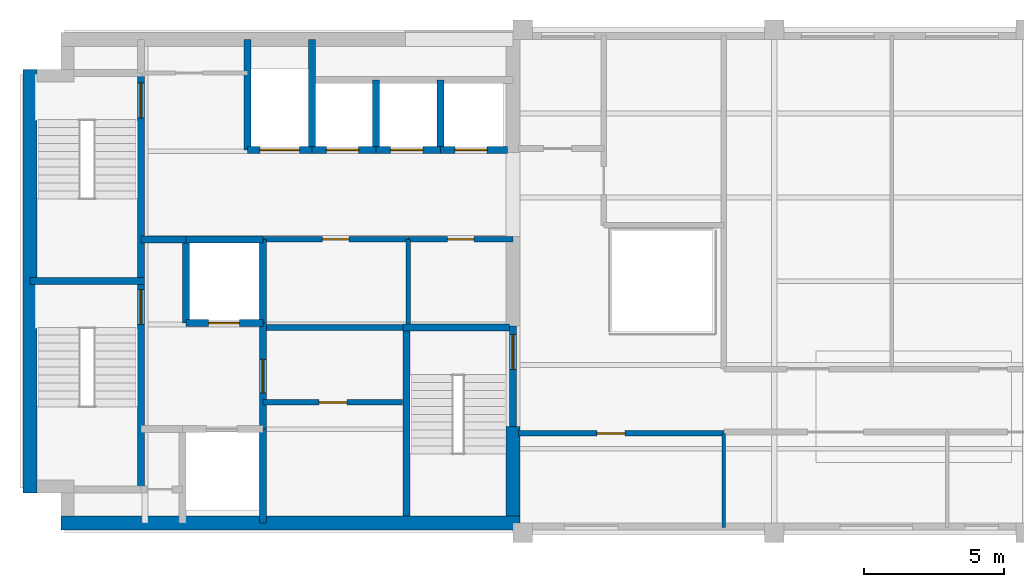
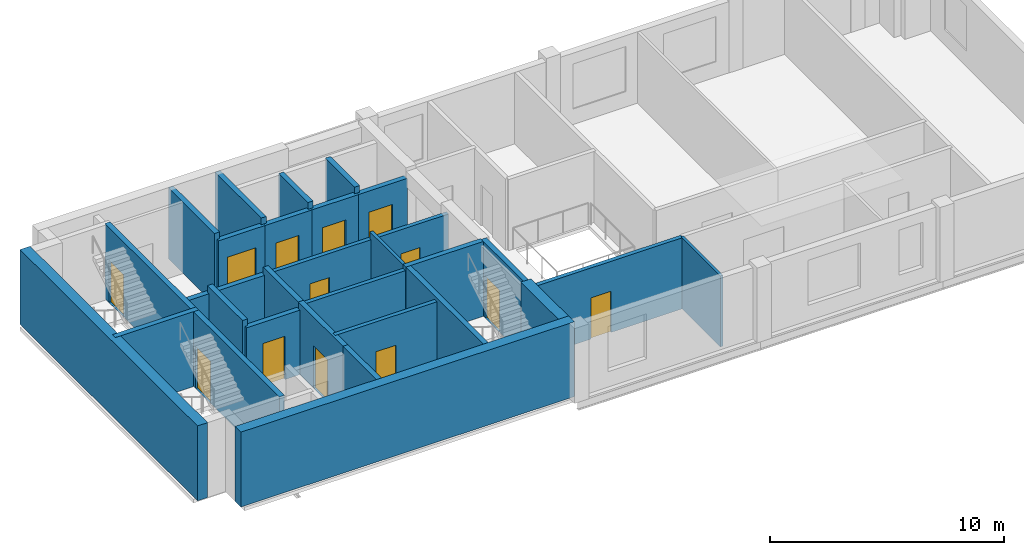
# One storey, part 2 of 5: 31 walls, 13 doors, 13 openings.
"""IFC4 building model written with IfcOpenShell, lengths in metres."""

from ifc_helpers import new_model, si_unit, direction, frame, frame_2d, origin, place, context, subcontext, project, spatial, rectangle, extrude, material, layer, layer_set, type_object, element, fill, save


model = new_model("IFC4")

# Units and contexts
model_context = context("Model", 3, precision=1e-05, world=origin(), true_north=direction((0.0, 1.0)))
body_context = subcontext(model_context, "Body", "Model", "MODEL_VIEW")
ifc_project = project(units=[si_unit("LENGTHUNIT", "METRE"), si_unit("AREAUNIT", "SQUARE_METRE"), si_unit("VOLUMEUNIT", "CUBIC_METRE"), si_unit("PLANEANGLEUNIT", "RADIAN"), si_unit("MASSUNIT", "GRAM", prefix="KILO")], contexts=[model_context])

# Site, building, storey
site_placement = place(None, origin())
site = spatial("IfcSite", under=ifc_project, at=site_placement, CompositionType="ELEMENT")
building_placement = place(site_placement, origin())
building = spatial("IfcBuilding", under=site, at=building_placement, Name="Mawjdan Bourse Tower", CompositionType="ELEMENT")
storey_placement = place(building_placement, frame((0.0, 0.0, 289.800048828125)))
storey = spatial("IfcBuildingStorey", under=building, at=storey_placement, Name="L71", CompositionType="ELEMENT", Elevation=289.800048828125)

# Wall, opening, door
ifc_material_1 = material(Name="Gypsum Fireboard Assembly")
ifc_layer_1 = layer(ifc_material_1, 0.199951171875)
ifc_layer_set_1 = layer_set([ifc_layer_1], Name="Gypsum Fireboard Assembly")
wall_type_1 = type_object("IfcWallType", Name="WL-CMP-200", PredefinedType="PARTITIONING", material=ifc_layer_set_1)
wall_1_placement = place(storey_placement, frame((14.699951171875, 7.659912109375, 0.0), z_axis=(0.0, 0.0, 1.0), x_axis=(1.0, 0.0, 0.0)))
wall_1 = element("IfcWall", 1, at=wall_1_placement, inside=storey, type_object=wall_type_1, Name="L71 Staff Wellness Lounge North Wall", PredefinedType="PARTITIONING", context=body_context, shape_type="SweptSolid", body=[
    extrude(rectangle(XDim=5.0, YDim=0.199951171875, at=frame_2d((2.5, 0.0))), origin(), (0.0, 0.0, 1.0), 3.704833984375),
])
opening_1_placement = place(wall_1_placement, frame((2.0, 0.0, 0.0)))
opening_1 = element("IfcOpeningElement", 2, at=opening_1_placement, cuts=wall_1, Name="Opening D-L71-13", PredefinedType="OPENING", context=body_context, shape_type="SweptSolid", body=[
    extrude(rectangle(XDim=1.0, YDim=2.14990234375, at=frame_2d((0.5, 1.074951171875))), frame((0.0, 0.10986328125, 0.0), z_axis=(0.0, -1.0, 0.0), x_axis=(1.0, 0.0, 0.0)), (0.0, 0.0, 1.0), 0.219970703125),
])
ifc_material_2 = material(Name="Hardwood Acoustic Leaf", Category="wood")
door_type_1 = type_object("IfcDoorType", Name="DR-OFC-1000", OperationType="NOTDEFINED", PredefinedType="DOOR", material=ifc_material_2)
door_1_placement = place(opening_1_placement, origin())
door_1 = element("IfcDoor", 3, at=door_1_placement, inside=storey, type_object=door_type_1, Name="L71 Staff Wellness Lounge Door D-L71-13", OperationType="SINGLE_SWING_RIGHT", OverallHeight=2.14990234375, OverallWidth=1.0, PredefinedType="DOOR", context=body_context, shape_type="SweptSolid", body=[
    extrude(rectangle(XDim=1.0, YDim=2.14990234375, at=frame_2d((0.5, 1.074951171875))), frame((0.0, 0.02490234375, 0.0), z_axis=(0.0, -1.0, 0.0), x_axis=(1.0, 0.0, 0.0)), (0.0, 0.0, 1.0), 0.050048828125),
])
fill(opening_1, door_1)

# Wall
wall_2_placement = place(storey_placement, frame((14.824951171875, 10.340087890625, 0.0), z_axis=(0.0, 0.0, 1.0), x_axis=(1.0, 0.0, 0.0)))
element("IfcWall", 4, at=wall_2_placement, inside=storey, type_object=wall_type_1, Name="L71 Core Restroom Suite South Wall", PredefinedType="PARTITIONING", context=body_context, shape_type="SweptSolid", body=[
    extrude(rectangle(XDim=4.880126953125, YDim=0.199951171875, at=frame_2d((2.43994140625, 0.0))), origin(), (0.0, 0.0, 1.0), 3.704833984375),
])

# Wall, opening, door
wall_3_placement = place(storey_placement, frame((14.699951171875, 13.5, 0.0), z_axis=(0.0, 0.0, 1.0), x_axis=(1.0, 0.0, 0.0)))
wall_3 = element("IfcWall", 5, at=wall_3_placement, inside=storey, type_object=wall_type_1, Name="L71 Accessible WC North Wall", PredefinedType="PARTITIONING", context=body_context, shape_type="SweptSolid", body=[
    extrude(rectangle(XDim=5.199951171875, YDim=0.199951171875, at=frame_2d((2.60009765625, 0.0))), origin(), (0.0, 0.0, 1.0), 3.35400390625),
])
opening_2_placement = place(wall_3_placement, frame((2.125, 0.0, 0.0)))
opening_2 = element("IfcOpeningElement", 6, at=opening_2_placement, cuts=wall_3, Name="Opening D-L71-14", PredefinedType="OPENING", context=body_context, shape_type="SweptSolid", body=[
    extrude(rectangle(XDim=0.949951171875, YDim=2.10009765625, at=frame_2d((0.47509765625, 1.050048828125))), frame((0.0, 0.10986328125, 0.0), z_axis=(0.0, -1.0, 0.0), x_axis=(1.0, 0.0, 0.0)), (0.0, 0.0, 1.0), 0.219970703125),
])
ifc_material_3 = material(Name="Moisture-Resistant Laminate Timber", Category="wood")
door_type_2 = type_object("IfcDoorType", Name="DR-WET-0950", OperationType="NOTDEFINED", PredefinedType="DOOR", material=ifc_material_3)
door_2_placement = place(opening_2_placement, origin())
door_2 = element("IfcDoor", 7, at=door_2_placement, inside=storey, type_object=door_type_2, Name="L71 Accessible WC Door D-L71-14", OperationType="SINGLE_SWING_LEFT", OverallHeight=2.10009765625, OverallWidth=0.949951171875, PredefinedType="DOOR", context=body_context, shape_type="SweptSolid", body=[
    extrude(rectangle(XDim=0.949951171875, YDim=2.10009765625, at=frame_2d((0.47509765625, 1.050048828125))), frame((0.0, 0.02490234375, 0.0), z_axis=(0.0, -1.0, 0.0), x_axis=(1.0, 0.0, 0.0)), (0.0, 0.0, 1.0), 0.050048828125),
])
fill(opening_2, door_2)

wall_4_placement = place(storey_placement, frame((19.89990234375, 13.5, 0.0), z_axis=(0.0, 0.0, 1.0), x_axis=(1.0, 0.0, 0.0)))
wall_4 = element("IfcWall", 8, at=wall_4_placement, inside=storey, type_object=wall_type_1, Name="L71 Staff Wellness & Quiet Room North Wall", PredefinedType="PARTITIONING", context=body_context, shape_type="SweptSolid", body=[
    extrude(rectangle(XDim=3.75, YDim=0.199951171875, at=frame_2d((1.875, 0.0))), origin(), (0.0, 0.0, 1.0), 3.35400390625),
])
opening_3_placement = place(wall_4_placement, frame((1.39990234375, 0.0, 0.0)))
opening_3 = element("IfcOpeningElement", 9, at=opening_3_placement, cuts=wall_4, Name="Opening D-L71-15", PredefinedType="OPENING", context=body_context, shape_type="SweptSolid", body=[
    extrude(rectangle(XDim=0.949951171875, YDim=2.10009765625, at=frame_2d((0.47509765625, 1.050048828125))), frame((0.0, 0.10986328125, 0.0), z_axis=(0.0, -1.0, 0.0), x_axis=(1.0, 0.0, 0.0)), (0.0, 0.0, 1.0), 0.219970703125),
])
door_3_placement = place(opening_3_placement, origin())
door_3 = element("IfcDoor", 10, at=door_3_placement, inside=storey, type_object=door_type_2, Name="L71 Staff Wellness & Quiet Room Door D-L71-15", OperationType="SINGLE_SWING_RIGHT", OverallHeight=2.10009765625, OverallWidth=0.949951171875, PredefinedType="DOOR", context=body_context, shape_type="SweptSolid", body=[
    extrude(rectangle(XDim=0.949951171875, YDim=2.10009765625, at=frame_2d((0.47509765625, 1.050048828125))), frame((0.0, 0.02490234375, 0.0), z_axis=(0.0, -1.0, 0.0), x_axis=(1.0, 0.0, 0.0)), (0.0, 0.0, 1.0), 0.050048828125),
])
fill(opening_3, door_3)

wall_5_placement = place(storey_placement, frame((23.85009765625, 6.550048828125, 0.0), z_axis=(0.0, 0.0, 1.0), x_axis=(1.0, 0.0, 0.0)))
wall_5 = element("IfcWall", 11, at=wall_5_placement, inside=storey, type_object=wall_type_1, Name="L71 Summit Throat South Wall", PredefinedType="PARTITIONING", context=body_context, shape_type="SweptSolid", body=[
    extrude(rectangle(XDim=7.349853515625, YDim=0.199951171875, at=frame_2d((3.6748046875, 0.0))), origin(), (0.0, 0.0, 1.0), 3.704833984375),
])
opening_4_placement = place(wall_5_placement, frame((2.800048828125, 0.0, 0.0)))
opening_4 = element("IfcOpeningElement", 12, at=opening_4_placement, cuts=wall_5, Name="Opening D-L71-17", PredefinedType="OPENING", context=body_context, shape_type="SweptSolid", body=[
    extrude(rectangle(XDim=1.0, YDim=2.14990234375, at=frame_2d((0.5, 1.074951171875))), frame((0.0, 0.10986328125, 0.0), z_axis=(0.0, -1.0, 0.0), x_axis=(1.0, 0.0, 0.0)), (0.0, 0.0, 1.0), 0.219970703125),
])
door_4_placement = place(opening_4_placement, origin())
door_4 = element("IfcDoor", 13, at=door_4_placement, inside=storey, type_object=door_type_1, Name="L71 Summit Throat South Room Door D-L71-17", OperationType="SINGLE_SWING_RIGHT", OverallHeight=2.14990234375, OverallWidth=1.0, PredefinedType="DOOR", context=body_context, shape_type="SweptSolid", body=[
    extrude(rectangle(XDim=1.0, YDim=2.14990234375, at=frame_2d((0.5, 1.074951171875))), frame((0.0, 0.02490234375, 0.0), z_axis=(0.0, -1.0, 0.0), x_axis=(1.0, 0.0, 0.0)), (0.0, 0.0, 1.0), 0.050048828125),
])
fill(opening_4, door_4)

# Walls
ifc_material_4 = material(Name="Concrete C60/75", Category="concrete")
ifc_layer_2 = layer(ifc_material_4, 0.5)
ifc_layer_set_2 = layer_set([ifc_layer_2], Name="Concrete C60/75")
wall_type_2 = type_object("IfcWallType", Name="WL-CORE-500", PredefinedType="SHEAR", material=ifc_layer_set_2)
wall_6_placement = place(storey_placement, frame((7.47509765625, 3.35009765625, 0.0), z_axis=(0.0, 0.0, 1.0), x_axis=(1.0, 0.0, 0.0)))
element("IfcWall", 14, at=wall_6_placement, inside=storey, type_object=wall_type_2, Name="L71 Rear Core Shear Wall S", PredefinedType="SHEAR", context=body_context, shape_type="SweptSolid", body=[
    extrude(rectangle(XDim=16.4248046875, YDim=0.5, at=frame_2d((8.21240234375, 0.0))), origin(), (0.0, 0.0, 1.0), 3.89990234375),
])
wall_7_placement = place(storey_placement, frame((6.35009765625, 4.425048828125, 0.0), z_axis=(0.0, 0.0, 1.0), x_axis=(0.0, 1.0, 0.0)))
element("IfcWall", 15, at=wall_7_placement, inside=storey, type_object=wall_type_2, Name="L71 Rear Core Shear Wall W", PredefinedType="SHEAR", context=body_context, shape_type="SweptSolid", body=[
    extrude(rectangle(XDim=15.14990234375, YDim=0.5, at=frame_2d((7.574951171875, 0.0))), origin(), (0.0, 0.0, 1.0), 3.89990234375),
])
wall_8_placement = place(storey_placement, frame((23.64990234375, 3.60009765625, 0.0), z_axis=(0.0, 0.0, 1.0), x_axis=(0.0, 1.0, 0.0)))
element("IfcWall", 16, at=wall_8_placement, inside=storey, type_object=wall_type_2, Name="L71 Rear Core Shear Wall E1", PredefinedType="SHEAR", context=body_context, shape_type="SweptSolid", body=[
    extrude(rectangle(XDim=3.199951171875, YDim=0.5, at=frame_2d((1.60009765625, 0.0))), origin(), (0.0, 0.0, 1.0), 3.89990234375),
])
ifc_material_5 = material(Name="Gypsum Partition")
ifc_layer_3 = layer(ifc_material_5, 0.125)
ifc_layer_set_3 = layer_set([ifc_layer_3], Name="Gypsum Partition")
wall_type_3 = type_object("IfcWallType", Name="WL-PRT-125", PredefinedType="PARTITIONING", material=ifc_layer_set_3)
wall_9_placement = place(storey_placement, frame((31.199951171875, 3.179931640625, 0.0), z_axis=(0.0, 0.0, 1.0), x_axis=(0.0, 1.0, 0.0)))
element("IfcWall", 17, at=wall_9_placement, inside=storey, type_object=wall_type_3, Name="L71 Summit Throat South Return", PredefinedType="PARTITIONING", context=body_context, shape_type="SweptSolid", body=[
    extrude(rectangle(XDim=3.3701171875, YDim=0.125, at=frame_2d((1.68505859375, 0.0))), origin(), (0.0, 0.0, 1.0), 3.704833984375),
])
ifc_material_6 = material(Name="Gypsum Acoustic Partition")
ifc_layer_4 = layer(ifc_material_6, 0.14990234375)
ifc_layer_set_4 = layer_set([ifc_layer_4], Name="Gypsum Acoustic Partition")
wall_type_4 = type_object("IfcWallType", Name="WL-PRT-150", PredefinedType="PARTITIONING", material=ifc_layer_set_4)
wall_10_placement = place(storey_placement, frame((19.89990234375, 10.465087890625, 0.0), z_axis=(0.0, 0.0, 1.0), x_axis=(0.0, 1.0, 0.0)))
element("IfcWall", 18, at=wall_10_placement, inside=storey, type_object=wall_type_4, Name="L71 Staff Wellness & Quiet Room Split Wall", PredefinedType="PARTITIONING", context=body_context, shape_type="SweptSolid", body=[
    extrude(rectangle(XDim=3.034912109375, YDim=0.14990234375, at=frame_2d((1.517578125, 0.0))), origin(), (0.0, 0.0, 1.0), 3.704833984375),
])
ifc_material_7 = material(Name="Concrete C50/60", Category="concrete")
ifc_layer_5 = layer(ifc_material_7, 0.25)
ifc_layer_set_5 = layer_set([ifc_layer_5], Name="Concrete C50/60")
wall_type_5 = type_object("IfcWallType", Name="WL-SHFT-250", PredefinedType="PARTITIONING", material=ifc_layer_set_5)
wall_11_placement = place(storey_placement, frame((14.699951171875, 3.35009765625, 0.0), z_axis=(0.0, 0.0, 1.0), x_axis=(0.0, 1.0, 0.0)))
element("IfcWall", 19, at=wall_11_placement, inside=storey, type_object=wall_type_5, Name="L71 FFL-01 East Shaft Wall", PredefinedType="PARTITIONING", context=body_context, shape_type="SweptSolid", body=[
    extrude(rectangle(XDim=3.349853515625, YDim=0.25, at=frame_2d((1.6748046875, 0.0))), origin(), (0.0, 0.0, 1.0), 3.704833984375),
])

# Wall, opening, door
wall_12_placement = place(storey_placement, frame((11.949951171875, 10.5, 0.0), z_axis=(0.0, 0.0, 1.0), x_axis=(1.0, 0.0, 0.0)))
wall_12 = element("IfcWall", 20, at=wall_12_placement, inside=storey, type_object=wall_type_5, Name="L71 FFL-02 Front Shaft Wall", PredefinedType="PARTITIONING", context=body_context, shape_type="SweptSolid", body=[
    extrude(rectangle(XDim=2.75, YDim=0.25, at=frame_2d((1.375, 0.0))), origin(), (0.0, 0.0, 1.0), 3.35400390625),
])
opening_5_placement = place(wall_12_placement, frame((0.800048828125, 0.0, 0.0)))
opening_5 = element("IfcOpeningElement", 21, at=opening_5_placement, cuts=wall_12, Name="Opening LD-L71-06", PredefinedType="OPENING", context=body_context, shape_type="SweptSolid", body=[
    extrude(rectangle(XDim=1.10009765625, YDim=2.25, at=frame_2d((0.550048828125, 1.125))), frame((0.0, 0.135009765625, 0.0), z_axis=(0.0, -1.0, 0.0), x_axis=(1.0, 0.0, 0.0)), (0.0, 0.0, 1.0), 0.27001953125),
])
ifc_material_8 = material(Name="Brushed Stainless Steel", Category="steel")
door_type_3 = type_object("IfcDoorType", Name="LD-FFL-1100", OperationType="DOUBLE_DOOR_SLIDING", PredefinedType="DOOR", material=ifc_material_8)
door_5_placement = place(opening_5_placement, origin())
door_5 = element("IfcDoor", 22, at=door_5_placement, inside=storey, type_object=door_type_3, Name="L71 Firefighting Lift FFL-02 Landing Door LD-L71-06", OperationType="DOUBLE_DOOR_SLIDING", OverallHeight=2.25, OverallWidth=1.10009765625, PredefinedType="DOOR", context=body_context, shape_type="SweptSolid", body=[
    extrude(rectangle(XDim=1.10009765625, YDim=2.25, at=frame_2d((0.550048828125, 1.125))), frame((0.0, 0.02490234375, 0.0), z_axis=(0.0, -1.0, 0.0), x_axis=(1.0, 0.0, 0.0)), (0.0, 0.0, 1.0), 0.050048828125),
])
fill(opening_5, door_5)

# Walls
wall_13_placement = place(storey_placement, frame((11.949951171875, 10.5, 0.0), z_axis=(0.0, 0.0, 1.0), x_axis=(0.0, 1.0, 0.0)))
element("IfcWall", 23, at=wall_13_placement, inside=storey, type_object=wall_type_5, Name="L71 FFL-02 West Shaft Wall", PredefinedType="PARTITIONING", context=body_context, shape_type="SweptSolid", body=[
    extrude(rectangle(XDim=3.0, YDim=0.25, at=frame_2d((1.5, 0.0))), origin(), (0.0, 0.0, 1.0), 3.704833984375),
])
wall_14_placement = place(storey_placement, frame((11.949951171875, 13.5, 0.0), z_axis=(0.0, 0.0, 1.0), x_axis=(1.0, 0.0, 0.0)))
element("IfcWall", 24, at=wall_14_placement, inside=storey, type_object=wall_type_5, Name="L71 FFL-02 North Shaft Wall", PredefinedType="PARTITIONING", context=body_context, shape_type="SweptSolid", body=[
    extrude(rectangle(XDim=2.75, YDim=0.25, at=frame_2d((1.375, 0.0))), origin(), (0.0, 0.0, 1.0), 3.35400390625),
])
wall_15_placement = place(storey_placement, frame((14.699951171875, 10.5, 0.0), z_axis=(0.0, 0.0, 1.0), x_axis=(0.0, 1.0, 0.0)))
element("IfcWall", 25, at=wall_15_placement, inside=storey, type_object=wall_type_5, Name="L71 FFL-02 East Shaft Wall", PredefinedType="PARTITIONING", context=body_context, shape_type="SweptSolid", body=[
    extrude(rectangle(XDim=3.0, YDim=0.25, at=frame_2d((1.5, 0.0))), origin(), (0.0, 0.0, 1.0), 3.704833984375),
])

# Wall, opening, door
wall_16_placement = place(storey_placement, frame((14.699951171875, 6.699951171875, 0.0), z_axis=(0.0, 0.0, 1.0), x_axis=(0.0, 1.0, 0.0)))
wall_16 = element("IfcWall", 26, at=wall_16_placement, inside=storey, type_object=wall_type_5, Name="L71 Firefighting Lobby East Compartment Wall", PredefinedType="PARTITIONING", context=body_context, shape_type="SweptSolid", body=[
    extrude(rectangle(XDim=3.800048828125, YDim=0.25, at=frame_2d((1.89990234375, 0.0))), origin(), (0.0, 0.0, 1.0), 3.704833984375),
])
opening_6_placement = place(wall_16_placement, frame((1.300048828125, 0.0, 0.0)))
opening_6 = element("IfcOpeningElement", 27, at=opening_6_placement, cuts=wall_16, Name="Opening FD-L71-07", PredefinedType="OPENING", context=body_context, shape_type="SweptSolid", body=[
    extrude(rectangle(XDim=1.199951171875, YDim=2.199951171875, at=frame_2d((0.60009765625, 1.10009765625))), frame((0.0, 0.135009765625, 0.0), z_axis=(0.0, -1.0, 0.0), x_axis=(1.0, 0.0, 0.0)), (0.0, 0.0, 1.0), 0.27001953125),
])
ifc_material_9 = material(Name="Fire-Rated Steel Leaf", Category="steel")
door_type_4 = type_object("IfcDoorType", Name="FD-FFL-1200", OperationType="NOTDEFINED", PredefinedType="DOOR", material=ifc_material_9)
door_6_placement = place(opening_6_placement, origin())
door_6 = element("IfcDoor", 28, at=door_6_placement, inside=storey, type_object=door_type_4, Name="L71 Firefighting Lobby East Smoke Door FD-L71-07", OperationType="SINGLE_SWING_RIGHT", OverallHeight=2.199951171875, OverallWidth=1.199951171875, PredefinedType="DOOR", context=body_context, shape_type="SweptSolid", body=[
    extrude(rectangle(XDim=1.199951171875, YDim=2.199951171875, at=frame_2d((0.60009765625, 1.10009765625))), frame((0.0, 0.02490234375, 0.0), z_axis=(0.0, -1.0, 0.0), x_axis=(1.0, 0.0, 0.0)), (0.0, 0.0, 1.0), 0.050048828125),
])
fill(opening_6, door_6)

# Wall
wall_17_placement = place(storey_placement, frame((10.330078125, 13.5, 0.0), z_axis=(0.0, 0.0, 1.0), x_axis=(1.0, 0.0, 0.0)))
element("IfcWall", 29, at=wall_17_placement, inside=storey, type_object=wall_type_5, Name="L71 Firefighting Lobby North Compartment Wall", PredefinedType="PARTITIONING", context=body_context, shape_type="SweptSolid", body=[
    extrude(rectangle(XDim=1.619873046875, YDim=0.25, at=frame_2d((0.81005859375, 0.0))), origin(), (0.0, 0.0, 1.0), 3.35400390625),
])

# Wall, opening, door
wall_18_placement = place(storey_placement, frame((14.14990234375, 16.699951171875, 0.0), z_axis=(0.0, 0.0, 1.0), x_axis=(1.0, 0.0, 0.0)))
wall_18 = element("IfcWall", 30, at=wall_18_placement, inside=storey, type_object=wall_type_5, Name="L71 SVL-01 Front Shaft Wall", PredefinedType="PARTITIONING", context=body_context, shape_type="SweptSolid", body=[
    extrude(rectangle(XDim=2.300048828125, YDim=0.25, at=frame_2d((1.14990234375, 0.0))), origin(), (0.0, 0.0, 1.0), 3.35400390625),
])
opening_7_placement = place(wall_18_placement, frame((0.449951171875, 0.0, 0.0)))
opening_7 = element("IfcOpeningElement", 31, at=opening_7_placement, cuts=wall_18, Name="Opening LD-L71-09", PredefinedType="OPENING", context=body_context, shape_type="SweptSolid", body=[
    extrude(rectangle(XDim=1.39990234375, YDim=2.35009765625, at=frame_2d((0.699951171875, 1.175048828125))), frame((0.0, 0.135009765625, 0.0), z_axis=(0.0, -1.0, 0.0), x_axis=(1.0, 0.0, 0.0)), (0.0, 0.0, 1.0), 0.27001953125),
])
ifc_material_10 = material(Name="Heavy-Duty Stainless Steel", Category="steel")
door_type_5 = type_object("IfcDoorType", Name="LD-SRV-1400", OperationType="DOUBLE_DOOR_SLIDING", PredefinedType="DOOR", material=ifc_material_10)
door_7_placement = place(opening_7_placement, origin())
door_7 = element("IfcDoor", 32, at=door_7_placement, inside=storey, type_object=door_type_5, Name="L71 Service Lift SVL-01 Landing Door LD-L71-09", OperationType="DOUBLE_DOOR_SLIDING", OverallHeight=2.35009765625, OverallWidth=1.39990234375, PredefinedType="DOOR", context=body_context, shape_type="SweptSolid", body=[
    extrude(rectangle(XDim=1.39990234375, YDim=2.35009765625, at=frame_2d((0.699951171875, 1.175048828125))), frame((0.0, 0.02490234375, 0.0), z_axis=(0.0, -1.0, 0.0), x_axis=(1.0, 0.0, 0.0)), (0.0, 0.0, 1.0), 0.050048828125),
])
fill(opening_7, door_7)

# Walls
for number, where, z_axis, x_axis, name in (
    (33, (14.14990234375, 16.699951171875, 0.0), (0.0, 0.0, 1.0), (0.0, 1.0, 0.0), "L71 SVL-01 West Shaft Wall"),
    (34, (16.449951171875, 16.699951171875, 0.0), (0.0, 0.0, 1.0), (0.0, 1.0, 0.0), "L71 SVL-01 East Shaft Wall"),
):
    element("IfcWall", number, at=place(storey_placement, frame(where, z_axis=z_axis, x_axis=x_axis)), inside=storey, type_object=wall_type_5, Name=name, PredefinedType="PARTITIONING", context=body_context, shape_type="SweptSolid", body=[
        extrude(rectangle(XDim=3.949951171875, YDim=0.25, at=frame_2d((1.97509765625, 0.0))), origin(), (0.0, 0.0, 1.0), 3.704833984375),
    ])

# Wall, opening, door
wall_19_placement = place(storey_placement, frame((16.449951171875, 16.699951171875, 0.0), z_axis=(0.0, 0.0, 1.0), x_axis=(1.0, 0.0, 0.0)))
wall_19 = element("IfcWall", 35, at=wall_19_placement, inside=storey, type_object=wall_type_5, Name="L71 PH-01 Front Wall", PredefinedType="PARTITIONING", context=body_context, shape_type="SweptSolid", body=[
    extrude(rectangle(XDim=2.300048828125, YDim=0.25, at=frame_2d((1.14990234375, 0.0))), origin(), (0.0, 0.0, 1.0), 3.35400390625),
])
opening_8_placement = place(wall_19_placement, frame((0.52001953125, 0.0, 0.0)))
opening_8 = element("IfcOpeningElement", 36, at=opening_8_placement, cuts=wall_19, Name="Opening LD-L71-10", PredefinedType="OPENING", context=body_context, shape_type="SweptSolid", body=[
    extrude(rectangle(XDim=1.14990234375, YDim=2.25, at=frame_2d((0.574951171875, 1.125))), frame((0.0, 0.135009765625, 0.0), z_axis=(0.0, -1.0, 0.0), x_axis=(1.0, 0.0, 0.0)), (0.0, 0.0, 1.0), 0.27001953125),
])
door_type_6 = type_object("IfcDoorType", Name="LD-PAS-1150", OperationType="DOUBLE_DOOR_SLIDING", PredefinedType="DOOR", material=ifc_material_8)
door_8_placement = place(opening_8_placement, origin())
door_8 = element("IfcDoor", 37, at=door_8_placement, inside=storey, type_object=door_type_6, Name="L71 Lift PH-01 Landing Door LD-L71-10", OperationType="DOUBLE_DOOR_SLIDING", OverallHeight=2.25, OverallWidth=1.14990234375, PredefinedType="DOOR", context=body_context, shape_type="SweptSolid", body=[
    extrude(rectangle(XDim=1.14990234375, YDim=2.25, at=frame_2d((0.574951171875, 1.125))), frame((0.0, 0.02490234375, 0.0), z_axis=(0.0, -1.0, 0.0), x_axis=(1.0, 0.0, 0.0)), (0.0, 0.0, 1.0), 0.050048828125),
])
fill(opening_8, door_8)

# Wall
wall_20_placement = place(storey_placement, frame((18.75, 16.699951171875, 0.0), z_axis=(0.0, 0.0, 1.0), x_axis=(0.0, 1.0, 0.0)))
element("IfcWall", 38, at=wall_20_placement, inside=storey, type_object=wall_type_5, Name="L71 PH-01 Divider Wall", PredefinedType="PARTITIONING", context=body_context, shape_type="SweptSolid", body=[
    extrude(rectangle(XDim=2.5, YDim=0.25, at=frame_2d((1.25, 0.0))), origin(), (0.0, 0.0, 1.0), 3.704833984375),
])

# Wall, opening, door
wall_21_placement = place(storey_placement, frame((18.75, 16.699951171875, 0.0), z_axis=(0.0, 0.0, 1.0), x_axis=(1.0, 0.0, 0.0)))
wall_21 = element("IfcWall", 39, at=wall_21_placement, inside=storey, type_object=wall_type_5, Name="L71 PH-02 Front Wall", PredefinedType="PARTITIONING", context=body_context, shape_type="SweptSolid", body=[
    extrude(rectangle(XDim=2.300048828125, YDim=0.25, at=frame_2d((1.14990234375, 0.0))), origin(), (0.0, 0.0, 1.0), 3.35400390625),
])
opening_9_placement = place(wall_21_placement, frame((0.52001953125, 0.0, 0.0)))
opening_9 = element("IfcOpeningElement", 40, at=opening_9_placement, cuts=wall_21, Name="Opening LD-L71-11", PredefinedType="OPENING", context=body_context, shape_type="SweptSolid", body=[
    extrude(rectangle(XDim=1.14990234375, YDim=2.25, at=frame_2d((0.574951171875, 1.125))), frame((0.0, 0.135009765625, 0.0), z_axis=(0.0, -1.0, 0.0), x_axis=(1.0, 0.0, 0.0)), (0.0, 0.0, 1.0), 0.27001953125),
])
door_9_placement = place(opening_9_placement, origin())
door_9 = element("IfcDoor", 41, at=door_9_placement, inside=storey, type_object=door_type_6, Name="L71 Lift PH-02 Landing Door LD-L71-11", OperationType="DOUBLE_DOOR_SLIDING", OverallHeight=2.25, OverallWidth=1.14990234375, PredefinedType="DOOR", context=body_context, shape_type="SweptSolid", body=[
    extrude(rectangle(XDim=1.14990234375, YDim=2.25, at=frame_2d((0.574951171875, 1.125))), frame((0.0, 0.02490234375, 0.0), z_axis=(0.0, -1.0, 0.0), x_axis=(1.0, 0.0, 0.0)), (0.0, 0.0, 1.0), 0.050048828125),
])
fill(opening_9, door_9)

# Wall
wall_22_placement = place(storey_placement, frame((21.050048828125, 16.699951171875, 0.0), z_axis=(0.0, 0.0, 1.0), x_axis=(0.0, 1.0, 0.0)))
element("IfcWall", 42, at=wall_22_placement, inside=storey, type_object=wall_type_5, Name="L71 PH-02 Divider Wall", PredefinedType="PARTITIONING", context=body_context, shape_type="SweptSolid", body=[
    extrude(rectangle(XDim=2.5, YDim=0.25, at=frame_2d((1.25, 0.0))), origin(), (0.0, 0.0, 1.0), 3.704833984375),
])

# Wall, opening, door
wall_23_placement = place(storey_placement, frame((21.050048828125, 16.699951171875, 0.0), z_axis=(0.0, 0.0, 1.0), x_axis=(1.0, 0.0, 0.0)))
wall_23 = element("IfcWall", 43, at=wall_23_placement, inside=storey, type_object=wall_type_5, Name="L71 PH-03 Front Wall", PredefinedType="PARTITIONING", context=body_context, shape_type="SweptSolid", body=[
    extrude(rectangle(XDim=2.39990234375, YDim=0.25, at=frame_2d((1.199951171875, 0.0))), origin(), (0.0, 0.0, 1.0), 3.35400390625),
])
opening_10_placement = place(wall_23_placement, frame((0.52001953125, 0.0, 0.0)))
opening_10 = element("IfcOpeningElement", 44, at=opening_10_placement, cuts=wall_23, Name="Opening LD-L71-12", PredefinedType="OPENING", context=body_context, shape_type="SweptSolid", body=[
    extrude(rectangle(XDim=1.14990234375, YDim=2.25, at=frame_2d((0.574951171875, 1.125))), frame((0.0, 0.135009765625, 0.0), z_axis=(0.0, -1.0, 0.0), x_axis=(1.0, 0.0, 0.0)), (0.0, 0.0, 1.0), 0.27001953125),
])
door_10_placement = place(opening_10_placement, origin())
door_10 = element("IfcDoor", 45, at=door_10_placement, inside=storey, type_object=door_type_6, Name="L71 Lift PH-03 Landing Door LD-L71-12", OperationType="DOUBLE_DOOR_SLIDING", OverallHeight=2.25, OverallWidth=1.14990234375, PredefinedType="DOOR", context=body_context, shape_type="SweptSolid", body=[
    extrude(rectangle(XDim=1.14990234375, YDim=2.25, at=frame_2d((0.574951171875, 1.125))), frame((0.0, 0.02490234375, 0.0), z_axis=(0.0, -1.0, 0.0), x_axis=(1.0, 0.0, 0.0)), (0.0, 0.0, 1.0), 0.050048828125),
])
fill(opening_10, door_10)

# Wall
ifc_layer_6 = layer(ifc_material_7, 0.25)
ifc_layer_set_6 = layer_set([ifc_layer_6], Name="Concrete C50/60")
wall_type_6 = type_object("IfcWallType", Name="WL-STRW-250", PredefinedType="SHEAR", material=ifc_layer_set_6)
wall_24_placement = place(storey_placement, frame((6.35009765625, 12.0, 0.0), z_axis=(0.0, 0.0, 1.0), x_axis=(1.0, 0.0, 0.0)))
element("IfcWall", 46, at=wall_24_placement, inside=storey, type_object=wall_type_6, Name="L71 Stairwell Dividing Shaft Wall", PredefinedType="SHEAR", context=body_context, shape_type="SweptSolid", body=[
    extrude(rectangle(XDim=4.10498046875, YDim=0.25, at=frame_2d((2.052490234375, 0.0))), origin(), (0.0, 0.0, 1.0), 3.89990234375),
])

# Wall, opening, door
wall_25_placement = place(storey_placement, frame((10.330078125, 4.550048828125, 0.0), z_axis=(0.0, 0.0, 1.0), x_axis=(0.0, 1.0, 0.0)))
wall_25 = element("IfcWall", 47, at=wall_25_placement, inside=storey, type_object=wall_type_6, Name="L71 Stairwell ST1 East Enclosure Wall", PredefinedType="SHEAR", context=body_context, shape_type="SweptSolid", body=[
    extrude(rectangle(XDim=7.449951171875, YDim=0.25, at=frame_2d((3.72509765625, 0.0))), origin(), (0.0, 0.0, 1.0), 3.89990234375),
])
opening_11_placement = place(wall_25_placement, frame((5.89990234375, 0.0, 0.0)))
opening_11 = element("IfcOpeningElement", 48, at=opening_11_placement, cuts=wall_25, Name="Opening SD-L71-01", PredefinedType="OPENING", context=body_context, shape_type="SweptSolid", body=[
    extrude(rectangle(XDim=1.25, YDim=2.199951171875, at=frame_2d((0.625, 1.10009765625))), frame((0.0, 0.135009765625, 0.0), z_axis=(0.0, -1.0, 0.0), x_axis=(1.0, 0.0, 0.0)), (0.0, 0.0, 1.0), 0.27001953125),
])
door_type_7 = type_object("IfcDoorType", Name="FD-ST-1250", OperationType="NOTDEFINED", PredefinedType="DOOR", material=ifc_material_9)
door_11_placement = place(opening_11_placement, origin())
door_11 = element("IfcDoor", 49, at=door_11_placement, inside=storey, type_object=door_type_7, Name="L71 Exit Stair ST1 Fire Door SD-L71-01", OperationType="SINGLE_SWING_RIGHT", OverallHeight=2.199951171875, OverallWidth=1.25, PredefinedType="DOOR", context=body_context, shape_type="SweptSolid", body=[
    extrude(rectangle(XDim=1.25, YDim=2.199951171875, at=frame_2d((0.625, 1.10009765625))), frame((0.0, 0.02490234375, 0.0), z_axis=(0.0, -1.0, 0.0), x_axis=(1.0, 0.0, 0.0)), (0.0, 0.0, 1.0), 0.050048828125),
])
fill(opening_11, door_11)

wall_26_placement = place(storey_placement, frame((10.330078125, 12.0, 0.0), z_axis=(0.0, 0.0, 1.0), x_axis=(0.0, 1.0, 0.0)))
wall_26 = element("IfcWall", 50, at=wall_26_placement, inside=storey, type_object=wall_type_6, Name="L71 Stairwell ST2 East Enclosure Wall", PredefinedType="SHEAR", context=body_context, shape_type="SweptSolid", body=[
    extrude(rectangle(XDim=7.449951171875, YDim=0.25, at=frame_2d((3.72509765625, 0.0))), origin(), (0.0, 0.0, 1.0), 3.89990234375),
])
opening_12_placement = place(wall_26_placement, frame((5.85009765625, 0.0, 0.0)))
opening_12 = element("IfcOpeningElement", 51, at=opening_12_placement, cuts=wall_26, Name="Opening SD-L71-02", PredefinedType="OPENING", context=body_context, shape_type="SweptSolid", body=[
    extrude(rectangle(XDim=1.25, YDim=2.199951171875, at=frame_2d((0.625, 1.10009765625))), frame((0.0, 0.135009765625, 0.0), z_axis=(0.0, -1.0, 0.0), x_axis=(1.0, 0.0, 0.0)), (0.0, 0.0, 1.0), 0.27001953125),
])
door_12_placement = place(opening_12_placement, origin())
door_12 = element("IfcDoor", 52, at=door_12_placement, inside=storey, type_object=door_type_7, Name="L71 Exit Stair ST2 Fire Door SD-L71-02", OperationType="SINGLE_SWING_LEFT", OverallHeight=2.199951171875, OverallWidth=1.25, PredefinedType="DOOR", context=body_context, shape_type="SweptSolid", body=[
    extrude(rectangle(XDim=1.25, YDim=2.199951171875, at=frame_2d((0.625, 1.10009765625))), frame((0.0, 0.02490234375, 0.0), z_axis=(0.0, -1.0, 0.0), x_axis=(1.0, 0.0, 0.0)), (0.0, 0.0, 1.0), 0.050048828125),
])
fill(opening_12, door_12)

# Walls
wall_27_placement = place(storey_placement, frame((19.830078125, 3.60009765625, 0.0), z_axis=(0.0, 0.0, 1.0), x_axis=(0.0, 1.0, 0.0)))
element("IfcWall", 53, at=wall_27_placement, inside=storey, type_object=wall_type_6, Name="L71 ST7 West Shaft Wall", PredefinedType="SHEAR", context=body_context, shape_type="SweptSolid", body=[
    extrude(rectangle(XDim=6.739990234375, YDim=0.25, at=frame_2d((3.3701171875, 0.0))), origin(), (0.0, 0.0, 1.0), 3.89990234375),
])
wall_28_placement = place(storey_placement, frame((19.705078125, 10.340087890625, 0.0), z_axis=(0.0, 0.0, 1.0), x_axis=(1.0, 0.0, 0.0)))
element("IfcWall", 54, at=wall_28_placement, inside=storey, type_object=wall_type_6, Name="L71 ST7 North Shaft Wall", PredefinedType="SHEAR", context=body_context, shape_type="SweptSolid", body=[
    extrude(rectangle(XDim=3.81982421875, YDim=0.25, at=frame_2d((1.909912109375, 0.0))), origin(), (0.0, 0.0, 1.0), 3.89990234375),
])

# Wall, opening, door
wall_29_placement = place(storey_placement, frame((23.64990234375, 6.800048828125, 0.0), z_axis=(0.0, 0.0, 1.0), x_axis=(0.0, 1.0, 0.0)))
wall_29 = element("IfcWall", 55, at=wall_29_placement, inside=storey, type_object=wall_type_6, Name="L71 ST7 East Shaft Wall", PredefinedType="SHEAR", context=body_context, shape_type="SweptSolid", body=[
    extrude(rectangle(XDim=3.599853515625, YDim=0.25, at=frame_2d((1.7998046875, 0.0))), origin(), (0.0, 0.0, 1.0), 3.89990234375),
])
opening_13_placement = place(wall_29_placement, frame((2.0400390625, 0.0, 0.0)))
opening_13 = element("IfcOpeningElement", 56, at=opening_13_placement, cuts=wall_29, Name="Opening SD-L71-25", PredefinedType="OPENING", context=body_context, shape_type="SweptSolid", body=[
    extrude(rectangle(XDim=1.25, YDim=2.199951171875, at=frame_2d((0.625, 1.10009765625))), frame((0.0, 0.135009765625, 0.0), z_axis=(0.0, -1.0, 0.0), x_axis=(1.0, 0.0, 0.0)), (0.0, 0.0, 1.0), 0.27001953125),
])
door_13_placement = place(opening_13_placement, origin())
door_13 = element("IfcDoor", 57, at=door_13_placement, inside=storey, type_object=door_type_7, Name="L71 Stair ST7 Fire Door SD-L71-25", OperationType="SINGLE_SWING_RIGHT", OverallHeight=2.199951171875, OverallWidth=1.25, PredefinedType="DOOR", context=body_context, shape_type="SweptSolid", body=[
    extrude(rectangle(XDim=1.25, YDim=2.199951171875, at=frame_2d((0.625, 1.10009765625))), frame((0.0, 0.02490234375, 0.0), z_axis=(0.0, -1.0, 0.0), x_axis=(1.0, 0.0, 0.0)), (0.0, 0.0, 1.0), 0.050048828125),
])
fill(opening_13, door_13)

save(model, "model.ifc")
